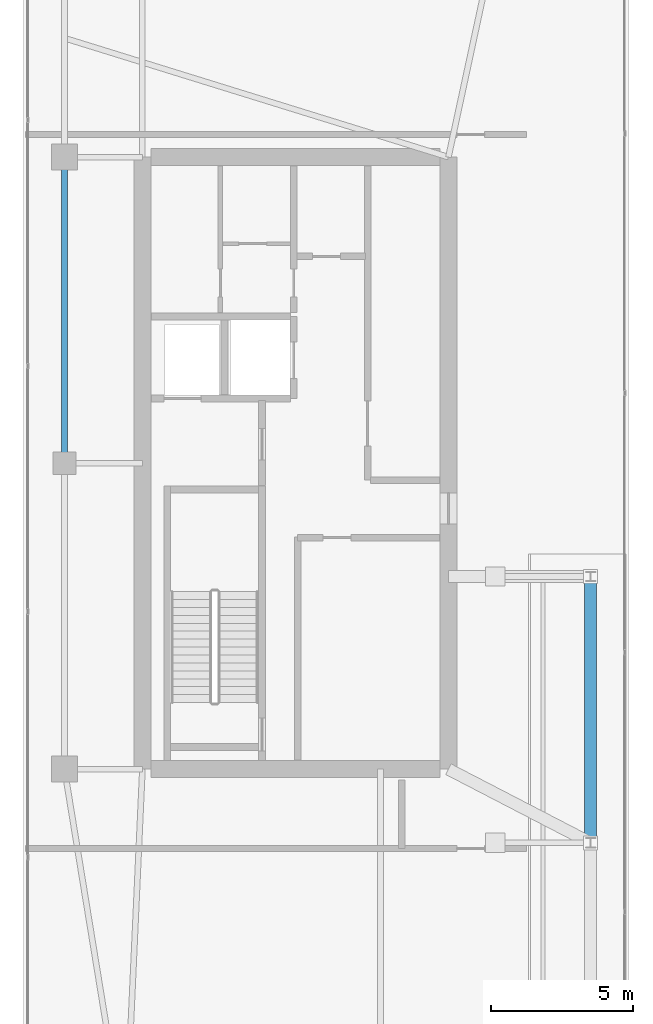
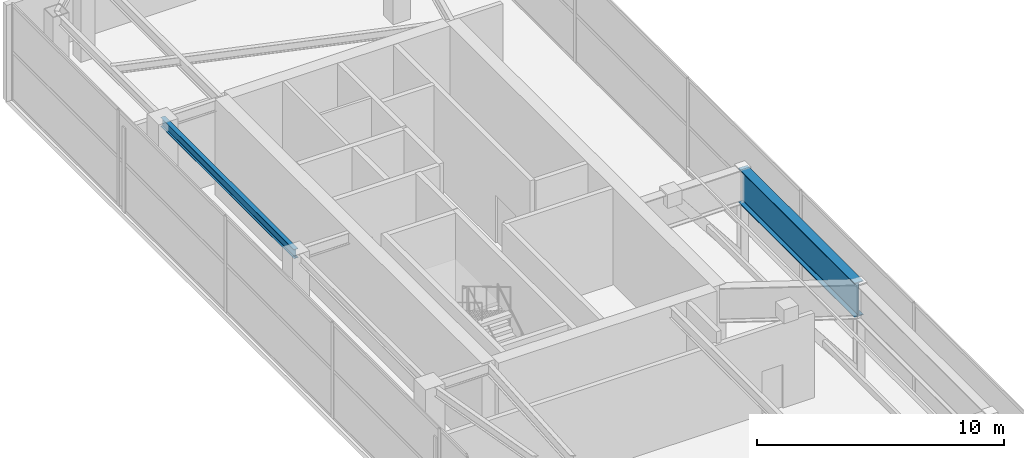
# One storey, part 10 of 20: 2 beams.
"""IFC4 building model written with IfcOpenShell, lengths in metres."""

from ifc_helpers import new_model, si_unit, direction, frame, origin, origin_2d, place, context, subcontext, project, spatial, i_section, extrude, material, material_profile, profile_set, type_object, element, save


model = new_model("IFC4")

# Units and contexts
model_context = context("Model", 3, precision=1e-05, world=origin(), true_north=direction((0.0, 1.0)))
body_context = subcontext(model_context, "Body", "Model", "MODEL_VIEW")
ifc_project = project(units=[si_unit("LENGTHUNIT", "METRE"), si_unit("AREAUNIT", "SQUARE_METRE"), si_unit("VOLUMEUNIT", "CUBIC_METRE"), si_unit("PLANEANGLEUNIT", "RADIAN"), si_unit("MASSUNIT", "GRAM", prefix="KILO")], contexts=[model_context])

# Site, building, storey
site_placement = place(None, origin())
site = spatial("IfcSite", under=ifc_project, at=site_placement, CompositionType="ELEMENT")
building_placement = place(site_placement, origin())
building = spatial("IfcBuilding", under=site, at=building_placement, Name="Calvorn Quay Hotel", CompositionType="ELEMENT")
storey_placement = place(building_placement, frame((0.0, 0.0, 340.5)))
storey = spatial("IfcBuildingStorey", under=building, at=storey_placement, Name="L83", CompositionType="ELEMENT", Elevation=340.5)

# Beams
ifc_material_1 = material(Name="Steel Q355B", Category="steel")
ifc_material_profile_1 = material_profile(ifc_material_1, i_section(OverallWidth=0.199951171875, OverallDepth=0.449951171875, WebThickness=0.009033203125, FlangeThickness=0.013916015625, FilletRadius=0.01611328125, at=origin_2d()), Name="HN450x200x9x14")
ifc_profile_set_1 = profile_set([ifc_material_profile_1], Name="Steel Q355B")
beam_type_1 = type_object("IfcBeamType", Name="BM-SPANDREL-Z3", PredefinedType="SPANDREL", material=ifc_profile_set_1)
beam_1_placement = place(storey_placement, frame((1.449951171875, 27.60009765625, 4.514892578125), z_axis=(0.0, 1.0, 0.0), x_axis=(-1.0, 0.0, 0.0)))
element("IfcBeam", 1, at=beam_1_placement, inside=storey, type_object=beam_type_1, Name="Beam BSP-L83-W3", PredefinedType="SPANDREL", context=body_context, shape_type="SweptSolid", body=[
    extrude(i_section(OverallWidth=0.199951171875, OverallDepth=0.449951171875, WebThickness=0.009033203125, FlangeThickness=0.013916015625, FilletRadius=0.01611328125, at=origin_2d()), origin(), (0.0, 0.0, 1.0), 10.7998046875),
])
ifc_material_2 = material(Name="Steel Q420GJC", Category="steel")
ifc_material_profile_2 = material_profile(ifc_material_2, i_section(OverallWidth=0.419921875, OverallDepth=1.699951171875, WebThickness=0.02392578125, FlangeThickness=0.0419921875, FilletRadius=0.02392578125, at=origin_2d()), Name="HN1700x420x24x42")
ifc_profile_set_2 = profile_set([ifc_material_profile_2], Name="Steel Q420GJC")
beam_type_2 = type_object("IfcBeamType", Name="BM-XFER-SAWTOOTH", PredefinedType="BEAM", material=ifc_profile_set_2)
beam_2_placement = place(storey_placement, frame((20.01708984375, 14.199951171875, 3.889892578125), z_axis=(0.0, 1.0, 0.0), x_axis=(-1.0, 0.0, 0.0)))
element("IfcBeam", 2, at=beam_2_placement, inside=storey, type_object=beam_type_2, Name="Beam BTG-L83-CE2", PredefinedType="BEAM", context=body_context, shape_type="SweptSolid", body=[
    extrude(i_section(OverallWidth=0.419921875, OverallDepth=1.699951171875, WebThickness=0.02392578125, FlangeThickness=0.0419921875, FilletRadius=0.02392578125, at=origin_2d()), origin(), (0.0, 0.0, 1.0), 9.400146484375),
])

save(model, "model.ifc")
